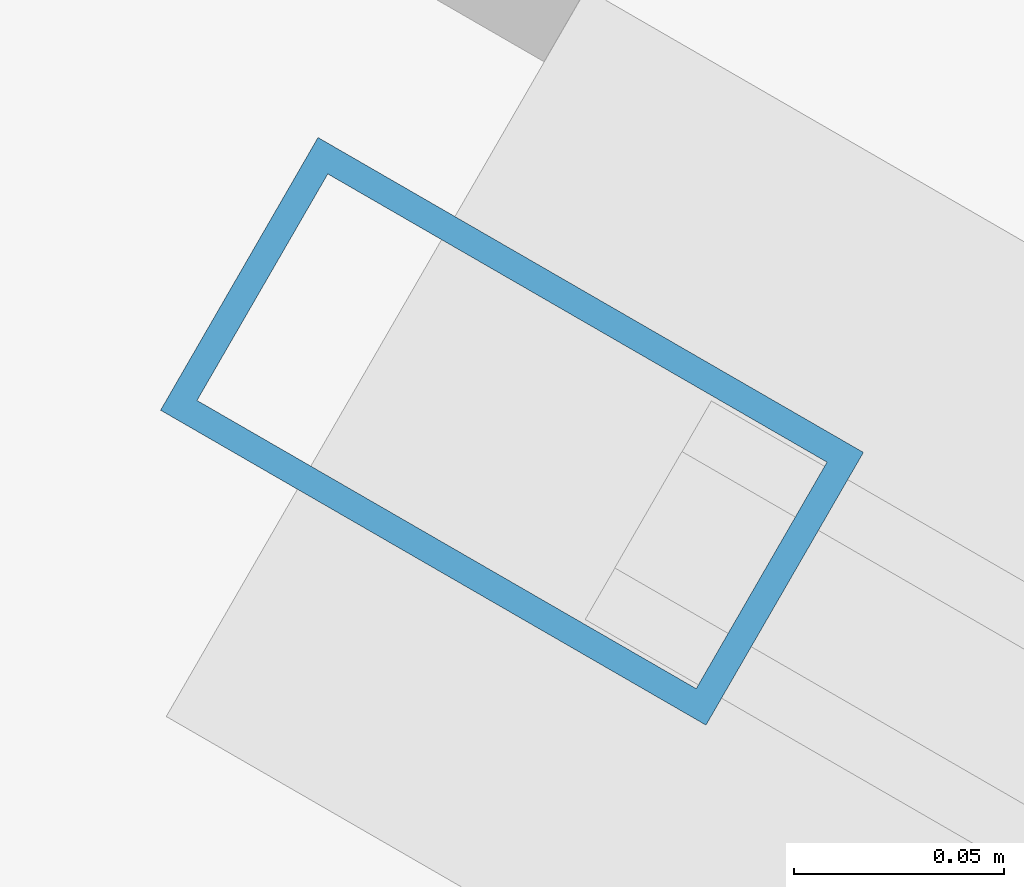
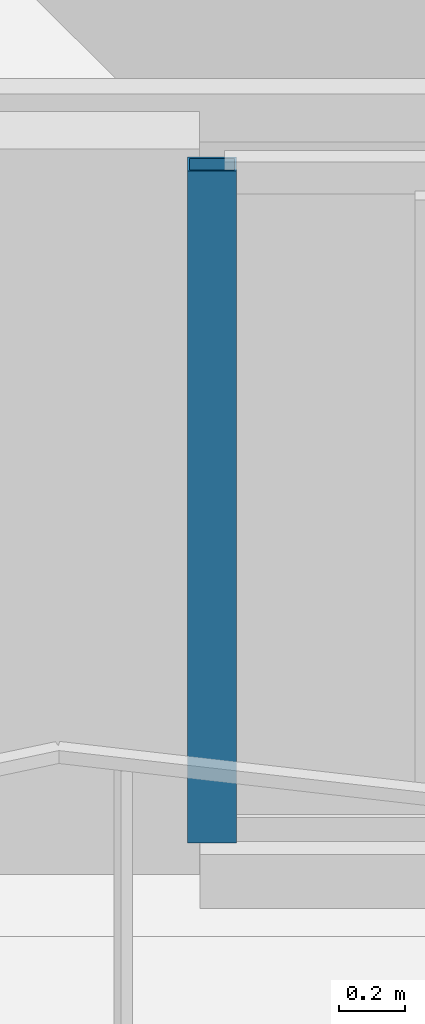
# One storey, part 4 of 18: 1 member, 1 element without a shape of its own.
"""IFC4 building model written with IfcOpenShell, lengths in metres."""

from ifc_helpers import new_model, si_unit, direction, frame, origin, origin_2d, place, context, subcontext, project, spatial, hollow_rectangle, extrude, material, layer, layer_set, material_profile, profile_set, type_object, element, aggregate, save


model = new_model("IFC4")

# Units and contexts
model_context = context("Model", 3, precision=1e-05, world=origin(), true_north=direction((0.0, 1.0)))
body_context = subcontext(model_context, "Body", "Model", "MODEL_VIEW")
ifc_project = project(units=[si_unit("LENGTHUNIT", "METRE"), si_unit("AREAUNIT", "SQUARE_METRE"), si_unit("VOLUMEUNIT", "CUBIC_METRE"), si_unit("PLANEANGLEUNIT", "RADIAN"), si_unit("MASSUNIT", "GRAM", prefix="KILO")], contexts=[model_context])

# Site, building, storey
site_placement = place(None, origin())
site = spatial("IfcSite", under=ifc_project, at=site_placement, CompositionType="ELEMENT")
building_placement = place(site_placement, origin())
building = spatial("IfcBuilding", under=site, at=building_placement, Name="Mersakhor Tower and Convention Hall", CompositionType="ELEMENT")
storey_placement = place(building_placement, frame((0.0, 0.0, 229.800048828125)))
storey = spatial("IfcBuildingStorey", under=building, at=storey_placement, Name="L64", CompositionType="ELEMENT", Elevation=229.800048828125)

# Curtain wall, member
ifc_material_1 = material(Name="Dark solar low-E aluminium curtain wall", Category="aluminium")
ifc_layer = layer(ifc_material_1, 0.179931640625)
ifc_layer_set = layer_set([ifc_layer], Name="Dark solar low-E aluminium curtain wall")
curtain_wall_type = type_object("IfcCurtainWallType", Name="CW-SYS-03", PredefinedType="USERDEFINED", material=ifc_layer_set)
curtain_wall_placement = place(storey_placement, origin())
curtain_wall = element("IfcCurtainWall", 1, at=curtain_wall_placement, inside=storey, type_object=curtain_wall_type, Name="L64 Dark-Glass Curtain Wall F3-B2", ObjectType="CURTAIN WALL", PredefinedType="USERDEFINED")
ifc_material_2 = material(Name="Anodised aluminium EN AW-6063 T6", Category="aluminium")
ifc_material_profile = material_profile(ifc_material_2, hollow_rectangle(XDim=0.074951171875, YDim=0.14990234375, WallThickness=0.00634765625, at=origin_2d()), Name="RHS 150x75x6.3")
ifc_profile_set = profile_set([ifc_material_profile], Name="Anodised aluminium EN AW-6063 T6")
member_type = type_object("IfcMemberType", Name="CWM-150x75", PredefinedType="MULLION", material=ifc_profile_set)
member_placement = place(storey_placement, frame((20.098388671875, 19.484619140625, 0.199951171875), z_axis=(0.0, 0.0, 1.0), x_axis=(-0.500004411169, -0.86602285698, 0.0)))
member = element("IfcMember", 2, at=member_placement, type_object=member_type, Name="CW-03 mullion 3", PredefinedType="MULLION", context=body_context, shape_type="SweptSolid", body=[
    extrude(hollow_rectangle(XDim=0.074951171875, YDim=0.14990234375, WallThickness=0.00634765625, at=origin_2d()), origin(), (0.0, 0.0, 1.0), 2.5),
])
aggregate(curtain_wall, [member])

save(model, "model.ifc")
